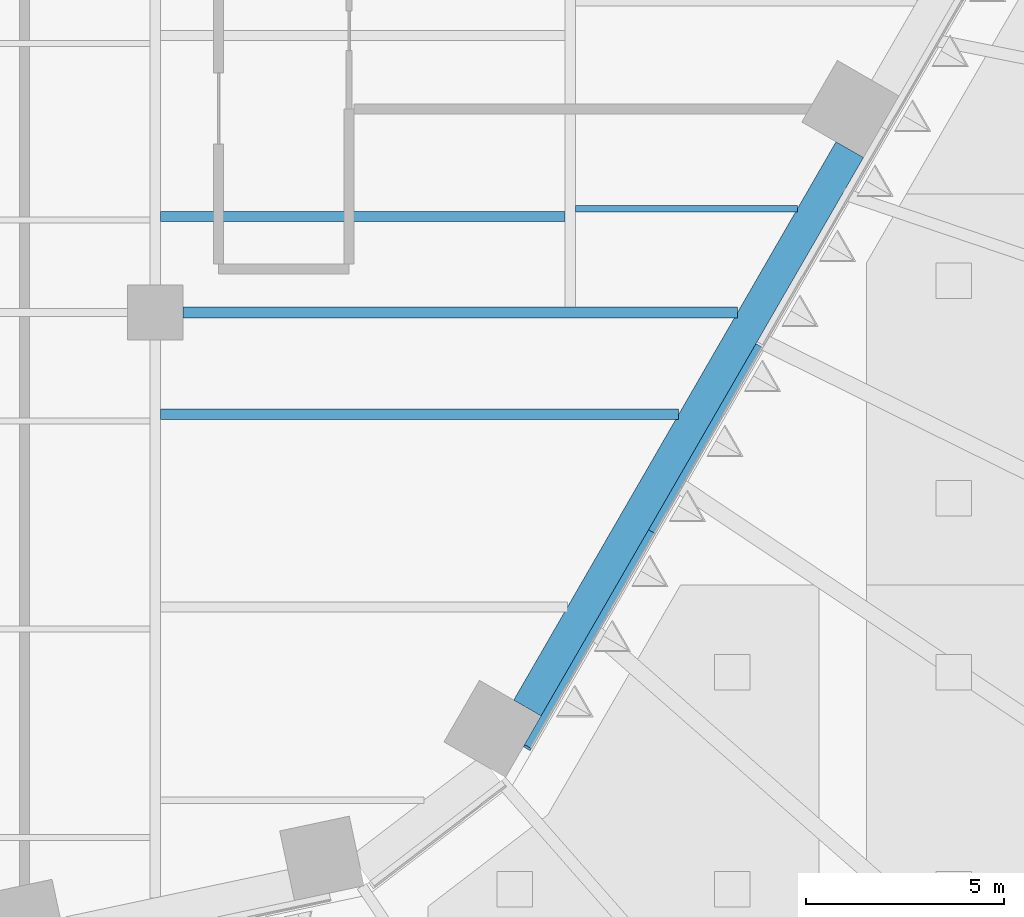
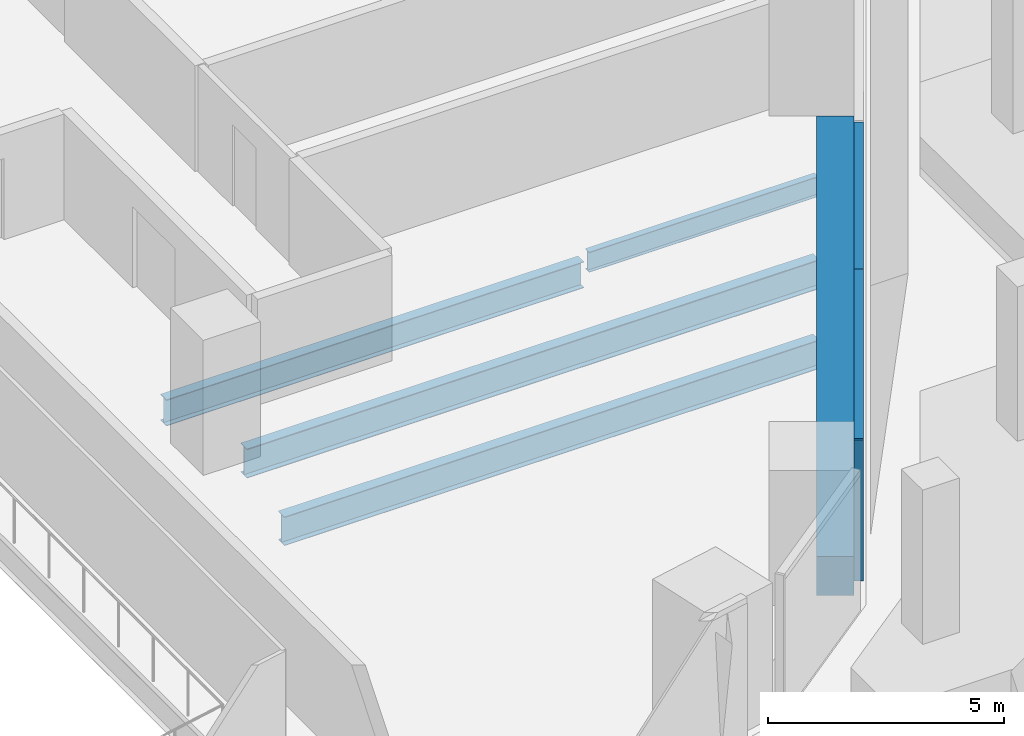
# One storey, part 12 of 51: 5 beams, 3 members, 1 element without a shape of its own.
"""IFC4 building model written with IfcOpenShell, lengths in metres."""

from ifc_helpers import new_model, si_unit, direction, frame, origin, origin_2d, place, context, subcontext, project, spatial, rectangle, i_section, extrude, material, layer, layer_set, material_profile, profile_set, type_object, element, aggregate, save


model = new_model("IFC4")

# Units and contexts
model_context = context("Model", 3, precision=1e-05, world=origin(), true_north=direction((0.0, 1.0)))
body_context = subcontext(model_context, "Body", "Model", "MODEL_VIEW")
ifc_project = project(units=[si_unit("LENGTHUNIT", "METRE"), si_unit("AREAUNIT", "SQUARE_METRE"), si_unit("VOLUMEUNIT", "CUBIC_METRE"), si_unit("PLANEANGLEUNIT", "RADIAN"), si_unit("MASSUNIT", "GRAM", prefix="KILO")], contexts=[model_context])

# Site, building, storey
site_placement = place(None, origin())
site = spatial("IfcSite", under=ifc_project, at=site_placement, CompositionType="ELEMENT")
building_placement = place(site_placement, origin())
building = spatial("IfcBuilding", under=site, at=building_placement, Name="Isthmus Gate Tower", CompositionType="ELEMENT")
storey_placement = place(building_placement, frame((0.0, 0.0, 36.0)))
storey = spatial("IfcBuildingStorey", under=building, at=storey_placement, Name="L06", CompositionType="ELEMENT", Elevation=36.0)

# Curtain wall, members
ifc_material_1 = material(Name="Aluminium, pale champagne anodised", Category="aluminium")
ifc_layer = layer(ifc_material_1, 0.199951171875)
ifc_layer_set = layer_set([ifc_layer], Name="CW-1 UNITISED CURTAIN WALL 200 DEEP")
curtain_wall_type = type_object("IfcCurtainWallType", Name="CW-1 UNITISED CURTAIN WALL 200 DEEP", PredefinedType="NOTDEFINED", material=ifc_layer_set)
curtain_wall_placement = place(storey_placement, origin())
curtain_wall = element("IfcCurtainWall", 1, at=curtain_wall_placement, inside=storey, type_object=curtain_wall_type, Name="CW-1 SE L06", PredefinedType="NOTDEFINED")
ifc_material_2 = material(Name="Aluminium, pale champagne anodised", Category="aluminium")
ifc_material_profile_1 = material_profile(ifc_material_2, rectangle(XDim=0.06005859375, YDim=0.199951171875, at=origin_2d()), Name="60x200")
ifc_profile_set_1 = profile_set([ifc_material_profile_1], Name="Aluminium, pale champagne anodised")
member_type_1 = type_object("IfcMemberType", Name="CW-1 MULLION 60 X 200", PredefinedType="MULLION", material=ifc_profile_set_1)
member_1_placement = place(storey_placement, frame((22.91357421875, -24.5126953125, 0.0), z_axis=(0.0, 0.0, 1.0), x_axis=(0.5, 0.866025403784, 0.0)))
member_1 = element("IfcMember", 2, at=member_1_placement, type_object=member_type_1, Name="CW-1 mullion", PredefinedType="MULLION", context=body_context, shape_type="SweptSolid", body=[
    extrude(rectangle(XDim=0.06005859375, YDim=0.199951171875, at=origin_2d()), origin(), (0.0, 0.0, 1.0), 3.64990234375),
])
ifc_material_3 = material(Name="Aluminium, pale champagne anodised", Category="aluminium")
ifc_material_profile_2 = material_profile(ifc_material_3, rectangle(XDim=0.199951171875, YDim=0.14990234375, at=origin_2d()), Name="200x150")
ifc_profile_set_2 = profile_set([ifc_material_profile_2], Name="Aluminium, pale champagne anodised")
member_type_2 = type_object("IfcMemberType", Name="CW-1 TRANSOM 200 X 150", PredefinedType="USERDEFINED", material=ifc_profile_set_2)
member_2_placement = place(storey_placement, frame((22.928466796875, -24.486572265625, 3.574951171875), z_axis=(0.50002426866, 0.866011391814, 0.0), x_axis=(-0.866011391814, 0.50002426866, 0.0)))
member_2 = element("IfcMember", 3, at=member_2_placement, type_object=member_type_2, Name="CW-1 transom", ObjectType="TRANSOM", PredefinedType="USERDEFINED", context=body_context, shape_type="SweptSolid", body=[
    extrude(rectangle(XDim=0.199951171875, YDim=0.14990234375, at=origin_2d()), origin(), (0.0, 0.0, 1.0), 6.278564453125),
])
member_3_placement = place(storey_placement, frame((26.06787109375, -19.04931640625, 3.574951171875), z_axis=(0.499991872758, 0.866030095999, 0.0), x_axis=(-0.866030095999, 0.499991872758, 0.0)))
member_3 = element("IfcMember", 4, at=member_3_placement, type_object=member_type_2, Name="CW-1 transom", ObjectType="TRANSOM", PredefinedType="USERDEFINED", context=body_context, shape_type="SweptSolid", body=[
    extrude(rectangle(XDim=0.199951171875, YDim=0.14990234375, at=origin_2d()), origin(), (0.0, 0.0, 1.0), 5.4384765625),
])
aggregate(curtain_wall, [member_1, member_2, member_3])

# Beams
ifc_material_4 = material(Name="Concrete f'c 70 MPa", Category="concrete")
ifc_material_profile_3 = material_profile(ifc_material_4, rectangle(XDim=0.800048828125, YDim=1.0, at=origin_2d()), Name="RC 800X1000")
ifc_profile_set_3 = profile_set([ifc_material_profile_3], Name="Concrete f'c 70 MPa")
beam_type_1 = type_object("IfcBeamType", Name="RC SPANDREL 800 X 1000", PredefinedType="SPANDREL", material=ifc_profile_set_3)
beam_1_placement = place(storey_placement, frame((31.0732421875, -9.37939453125, -0.5), z_axis=(-0.499991872758, -0.866030095999, 0.0), x_axis=(0.866030095999, -0.499991872758, 0.0)))
element("IfcBeam", 5, at=beam_1_placement, inside=storey, type_object=beam_type_1, Name="str-spandrel-L06-08", PredefinedType="SPANDREL", context=body_context, shape_type="SweptSolid", body=[
    extrude(rectangle(XDim=0.800048828125, YDim=1.0, at=origin_2d()), origin(), (0.0, 0.0, 1.0), 16.315673828125),
])
ifc_material_5 = material(Name="Structural steel ASTM A992 Gr 50", Category="steel")
ifc_material_profile_4 = material_profile(ifc_material_5, i_section(OverallWidth=0.1650390625, OverallDepth=0.52392578125, WebThickness=0.009521484375, FlangeThickness=0.010986328125, at=origin_2d()), Name="W21X44")
ifc_profile_set_4 = profile_set([ifc_material_profile_4], Name="Structural steel ASTM A992 Gr 50")
beam_type_2 = type_object("IfcBeamType", Name="STEEL FLOOR BEAM W21X44", PredefinedType="JOIST", material=ifc_profile_set_4)
beam_2_placement = place(storey_placement, frame((24.13330078125, -10.875, -0.411865234375), z_axis=(1.0, 0.0, 0.0), x_axis=(0.0, 1.0, 0.0)))
element("IfcBeam", 6, at=beam_2_placement, inside=storey, type_object=beam_type_2, Name="str-beam-L06-34-00", PredefinedType="JOIST", context=body_context, shape_type="SweptSolid", body=[
    extrude(i_section(OverallWidth=0.1650390625, OverallDepth=0.52392578125, WebThickness=0.009521484375, FlangeThickness=0.010986328125, at=origin_2d()), origin(), (0.0, 0.0, 1.0), 5.61474609375),
])
ifc_material_6 = material(Name="Structural steel ASTM A992 Gr 50", Category="steel")
ifc_material_profile_5 = material_profile(ifc_material_6, i_section(OverallWidth=0.25390625, OverallDepth=0.679443359375, WebThickness=0.010986328125, FlangeThickness=0.015869140625, at=origin_2d()), Name="W27X84")
ifc_profile_set_5 = profile_set([ifc_material_profile_5], Name="Structural steel ASTM A992 Gr 50")
beam_type_3 = type_object("IfcBeamType", Name="STEEL FLOOR BEAM W27X84", PredefinedType="JOIST", material=ifc_profile_set_5)
beam_3_placement = place(storey_placement, frame((13.6318359375, -11.07470703125, -0.48974609375), z_axis=(1.0, 0.0, 0.0), x_axis=(0.0, 1.0, 0.0)))
element("IfcBeam", 7, at=beam_3_placement, inside=storey, type_object=beam_type_3, Name="str-beam-L06-27-00", PredefinedType="JOIST", context=body_context, shape_type="SweptSolid", body=[
    extrude(i_section(OverallWidth=0.25390625, OverallDepth=0.679443359375, WebThickness=0.010986328125, FlangeThickness=0.015869140625, at=origin_2d()), origin(), (0.0, 0.0, 1.0), 10.23486328125),
])
ifc_material_7 = material(Name="Structural steel ASTM A992 Gr 50", Category="steel")
ifc_material_profile_6 = material_profile(ifc_material_7, i_section(OverallWidth=0.263427734375, OverallDepth=0.749267578125, WebThickness=0.0126953125, FlangeThickness=0.015869140625, at=origin_2d()), Name="W30X90")
ifc_profile_set_6 = profile_set([ifc_material_profile_6], Name="Structural steel ASTM A992 Gr 50")
beam_type_4 = type_object("IfcBeamType", Name="STEEL FLOOR BEAM W30X90", PredefinedType="JOIST", material=ifc_profile_set_6)
beam_4_placement = place(storey_placement, frame((13.63330078125, -16.0751953125, -0.524658203125), z_axis=(1.0, 0.0, 0.0), x_axis=(0.0, 1.0, 0.0)))
element("IfcBeam", 8, at=beam_4_placement, inside=storey, type_object=beam_type_4, Name="str-beam-L06-28-02", PredefinedType="JOIST", context=body_context, shape_type="SweptSolid", body=[
    extrude(i_section(OverallWidth=0.263427734375, OverallDepth=0.749267578125, WebThickness=0.0126953125, FlangeThickness=0.015869140625, at=origin_2d()), origin(), (0.0, 0.0, 1.0), 13.1123046875),
])
ifc_material_8 = material(Name="Structural steel ASTM A992 Gr 50", Category="steel")
ifc_material_profile_7 = material_profile(ifc_material_8, i_section(OverallWidth=0.2666015625, OverallDepth=0.7587890625, WebThickness=0.014404296875, FlangeThickness=0.01904296875, at=origin_2d()), Name="W30X108")
ifc_profile_set_7 = profile_set([ifc_material_profile_7], Name="Structural steel ASTM A992 Gr 50")
beam_type_5 = type_object("IfcBeamType", Name="STEEL GIRDER W30X108", PredefinedType="BEAM", material=ifc_profile_set_7)
beam_5_placement = place(storey_placement, frame((14.199951171875, -13.5, -0.529296875), z_axis=(1.0, 0.0, 0.0), x_axis=(0.0, 1.0, 0.0)))
element("IfcBeam", 9, at=beam_5_placement, inside=storey, type_object=beam_type_5, Name="str-girder-L06-08", PredefinedType="BEAM", context=body_context, shape_type="SweptSolid", body=[
    extrude(i_section(OverallWidth=0.2666015625, OverallDepth=0.7587890625, WebThickness=0.014404296875, FlangeThickness=0.01904296875, at=origin_2d()), origin(), (0.0, 0.0, 1.0), 14.032470703125),
])

save(model, "model.ifc")
